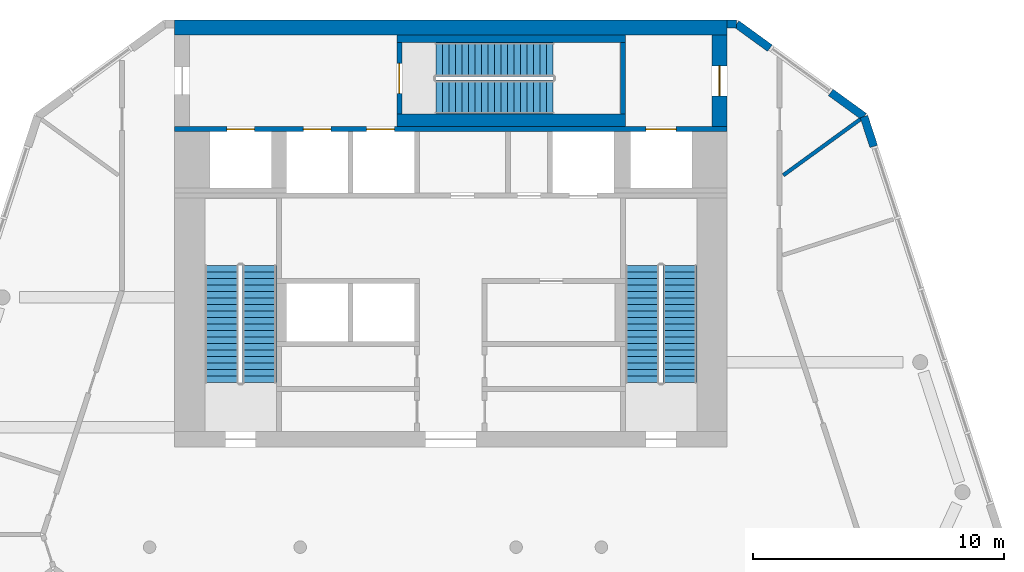
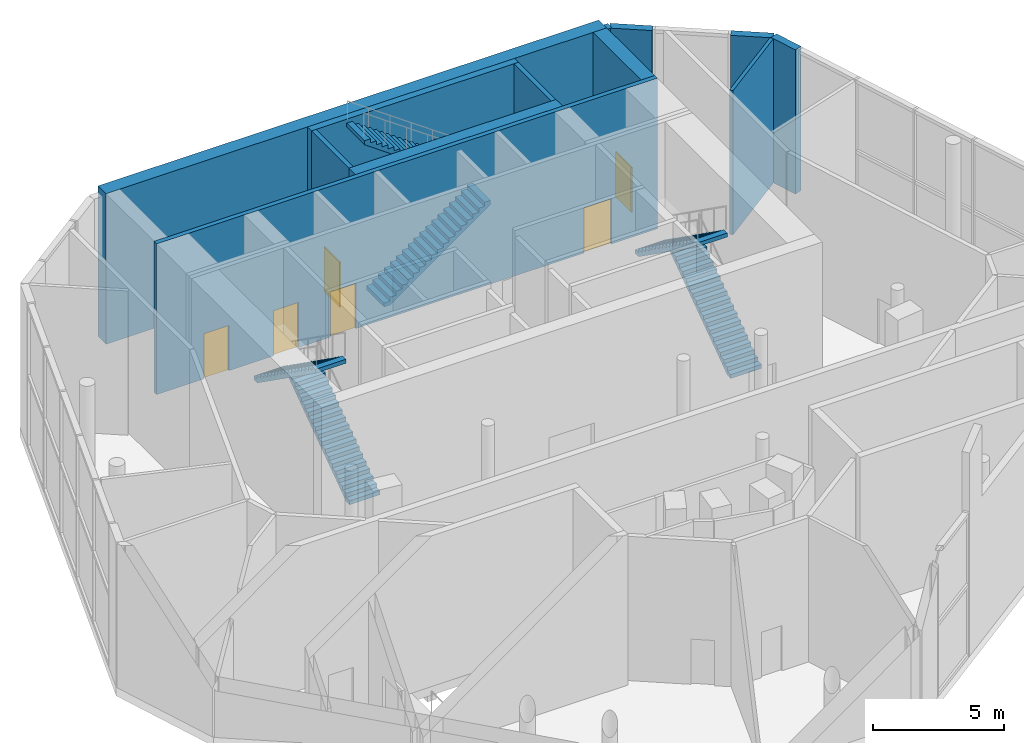
# One storey, part 7 of 9: 12 walls, 6 doors, 6 stair flights, 6 openings, 3 elements without a shape of their own.
"""IFC4 building model written with IfcOpenShell, lengths in metres."""

from ifc_helpers import new_model, si_unit, direction, frame, frame_2d, origin, place, context, subcontext, project, spatial, polyline, rectangle, outline, extrude, material, layer, layer_set, type_object, element, fill, aggregate, save


model = new_model("IFC4")

# Units and contexts
model_context = context("Model", 3, precision=1e-05, world=origin(), true_north=direction((0.0, 1.0)))
body_context = subcontext(model_context, "Body", "Model", "MODEL_VIEW")
ifc_project = project(units=[si_unit("LENGTHUNIT", "METRE"), si_unit("AREAUNIT", "SQUARE_METRE"), si_unit("VOLUMEUNIT", "CUBIC_METRE"), si_unit("PLANEANGLEUNIT", "RADIAN"), si_unit("MASSUNIT", "GRAM", prefix="KILO")], contexts=[model_context])

# Site, building, storey
site_placement = place(None, origin())
site = spatial("IfcSite", under=ifc_project, at=site_placement, CompositionType="ELEMENT")
building_placement = place(site_placement, origin())
building = spatial("IfcBuilding", under=site, at=building_placement, Name="White Candle Pilgrim Tower", CompositionType="ELEMENT")
storey_placement = place(building_placement, frame((0.0, 0.0, 321.699951171875)))
storey = spatial("IfcBuildingStorey", under=building, at=storey_placement, Name="L76", CompositionType="ELEMENT", Elevation=321.699951171875)

# Wall, openings, doors
ifc_material_1 = material(Name="Concrete C40/50", Category="concrete")
ifc_layer_1 = layer(ifc_material_1, 0.199951171875)
ifc_layer_set_1 = layer_set([ifc_layer_1], Name="Core wall 200 mm Concrete C40/50")
wall_type_1 = type_object("IfcWallType", Name="Core wall 200 mm Concrete C40/50", PredefinedType="SHEAR", material=ifc_layer_set_1)
wall_1_placement = place(storey_placement, frame((59.0, 83.64990234375, 0.0), z_axis=(0.0, 0.0, 1.0), x_axis=(1.0, 0.0, 0.0)))
wall_1 = element("IfcWall", 1, at=wall_1_placement, inside=storey, type_object=wall_type_1, Name="WL-L76-C46", PredefinedType="SHEAR", context=body_context, shape_type="SweptSolid", body=[
    extrude(rectangle(XDim=22.0, YDim=0.199951171875, at=frame_2d((11.0, 0.0))), origin(), (0.0, 0.0, 1.0), 7.0),
])
opening_1_placement = place(wall_1_placement, frame((5.125, 0.0, 0.0)))
opening_1 = element("IfcOpeningElement", 2, at=opening_1_placement, cuts=wall_1, Name="Opening L76-015", PredefinedType="OPENING", context=body_context, shape_type="SweptSolid", body=[
    extrude(rectangle(XDim=1.10009765625, YDim=2.10009765625, at=frame_2d((0.550048828125, 1.050048828125))), frame((0.0, 0.10986328125, 0.0), z_axis=(0.0, -1.0, 0.0), x_axis=(1.0, 0.0, 0.0)), (0.0, 0.0, 1.0), 0.219970703125),
])
opening_2_placement = place(wall_1_placement, frame((7.64990234375, 0.0, 0.0)))
opening_2 = element("IfcOpeningElement", 3, at=opening_2_placement, cuts=wall_1, Name="Opening L76-016", PredefinedType="OPENING", context=body_context, shape_type="SweptSolid", body=[
    extrude(rectangle(XDim=1.10009765625, YDim=2.10009765625, at=frame_2d((0.550048828125, 1.050048828125))), frame((0.0, 0.10986328125, 0.0), z_axis=(0.0, -1.0, 0.0), x_axis=(1.0, 0.0, 0.0)), (0.0, 0.0, 1.0), 0.219970703125),
])
opening_3_placement = place(wall_1_placement, frame((18.77490234375, 0.0, 0.0)))
opening_3 = element("IfcOpeningElement", 4, at=opening_3_placement, cuts=wall_1, Name="Opening L76-018", PredefinedType="OPENING", context=body_context, shape_type="SweptSolid", body=[
    extrude(rectangle(XDim=1.199951171875, YDim=2.10009765625, at=frame_2d((0.60009765625, 1.050048828125))), frame((0.0, 0.10986328125, 0.0), z_axis=(0.0, -1.0, 0.0), x_axis=(1.0, 0.0, 0.0)), (0.0, 0.0, 1.0), 0.219970703125),
])
opening_4_placement = place(wall_1_placement, frame((2.074951171875, 0.0, 0.0)))
opening_4 = element("IfcOpeningElement", 5, at=opening_4_placement, cuts=wall_1, Name="Opening L76-019", PredefinedType="OPENING", context=body_context, shape_type="SweptSolid", body=[
    extrude(rectangle(XDim=1.10009765625, YDim=2.10009765625, at=frame_2d((0.550048828125, 1.050048828125))), frame((0.0, 0.10986328125, 0.0), z_axis=(0.0, -1.0, 0.0), x_axis=(1.0, 0.0, 0.0)), (0.0, 0.0, 1.0), 0.219970703125),
])
ifc_material_2 = material(Name="Stainless steel", Category="steel")
door_type_1 = type_object("IfcDoorType", Name="Lift landing door 1100 x 2100 EI 60", OperationType="DOUBLE_DOOR_SLIDING", PredefinedType="DOOR", material=ifc_material_2)
door_1_placement = place(opening_1_placement, origin())
door_1 = element("IfcDoor", 6, at=door_1_placement, inside=storey, type_object=door_type_1, Name="Door L76-015", OperationType="DOUBLE_DOOR_SLIDING", OverallHeight=2.10009765625, OverallWidth=1.10009765625, PredefinedType="DOOR", context=body_context, shape_type="SweptSolid", body=[
    extrude(rectangle(XDim=1.10009765625, YDim=2.10009765625, at=frame_2d((0.550048828125, 1.050048828125))), frame((0.0, 0.02490234375, 0.0), z_axis=(0.0, -1.0, 0.0), x_axis=(1.0, 0.0, 0.0)), (0.0, 0.0, 1.0), 0.050048828125),
])
fill(opening_1, door_1)
door_2_placement = place(opening_2_placement, origin())
door_2 = element("IfcDoor", 7, at=door_2_placement, inside=storey, type_object=door_type_1, Name="Door L76-016", OperationType="DOUBLE_DOOR_SLIDING", OverallHeight=2.10009765625, OverallWidth=1.10009765625, PredefinedType="DOOR", context=body_context, shape_type="SweptSolid", body=[
    extrude(rectangle(XDim=1.10009765625, YDim=2.10009765625, at=frame_2d((0.550048828125, 1.050048828125))), frame((0.0, 0.02490234375, 0.0), z_axis=(0.0, -1.0, 0.0), x_axis=(1.0, 0.0, 0.0)), (0.0, 0.0, 1.0), 0.050048828125),
])
fill(opening_2, door_2)
door_3_placement = place(opening_4_placement, origin())
door_3 = element("IfcDoor", 8, at=door_3_placement, inside=storey, type_object=door_type_1, Name="Door L76-019", OperationType="DOUBLE_DOOR_SLIDING", OverallHeight=2.10009765625, OverallWidth=1.10009765625, PredefinedType="DOOR", context=body_context, shape_type="SweptSolid", body=[
    extrude(rectangle(XDim=1.10009765625, YDim=2.10009765625, at=frame_2d((0.550048828125, 1.050048828125))), frame((0.0, 0.02490234375, 0.0), z_axis=(0.0, -1.0, 0.0), x_axis=(1.0, 0.0, 0.0)), (0.0, 0.0, 1.0), 0.050048828125),
])
fill(opening_4, door_3)
door_type_2 = type_object("IfcDoorType", Name="Lift landing door 1200 x 2100 E 60", OperationType="DOUBLE_DOOR_SLIDING", PredefinedType="DOOR", material=ifc_material_2)
door_4_placement = place(opening_3_placement, origin())
door_4 = element("IfcDoor", 9, at=door_4_placement, inside=storey, type_object=door_type_2, Name="Door L76-018", OperationType="DOUBLE_DOOR_SLIDING", OverallHeight=2.10009765625, OverallWidth=1.199951171875, PredefinedType="DOOR", context=body_context, shape_type="SweptSolid", body=[
    extrude(rectangle(XDim=1.199951171875, YDim=2.10009765625, at=frame_2d((0.60009765625, 1.050048828125))), frame((0.0, 0.02490234375, 0.0), z_axis=(0.0, -1.0, 0.0), x_axis=(1.0, 0.0, 0.0)), (0.0, 0.0, 1.0), 0.050048828125),
])
fill(opening_3, door_4)

# Wall, opening, door
ifc_layer_2 = layer(ifc_material_1, 0.60009765625)
ifc_layer_set_2 = layer_set([ifc_layer_2], Name="Core wall 600 mm Concrete C40/50")
wall_type_2 = type_object("IfcWallType", Name="Core wall 600 mm Concrete C40/50", PredefinedType="SHEAR", material=ifc_layer_set_2)
wall_2_placement = place(storey_placement, frame((80.699951171875, 83.75, 0.0), z_axis=(0.0, 0.0, 1.0), x_axis=(0.0, 1.0, 0.0)))
wall_2 = element("IfcWall", 10, at=wall_2_placement, inside=storey, type_object=wall_type_2, Name="WL-L76-C49", PredefinedType="SHEAR", context=body_context, shape_type="SweptSolid", body=[
    extrude(rectangle(XDim=3.64990234375, YDim=0.60009765625, at=frame_2d((1.824951171875, 0.0))), origin(), (0.0, 0.0, 1.0), 7.0),
])
opening_5_placement = place(wall_2_placement, frame((1.22509765625, 0.0, 0.0)))
opening_5 = element("IfcOpeningElement", 11, at=opening_5_placement, cuts=wall_2, Name="Opening L76-010", PredefinedType="OPENING", context=body_context, shape_type="SweptSolid", body=[
    extrude(rectangle(XDim=1.199951171875, YDim=2.10009765625, at=frame_2d((0.60009765625, 1.050048828125))), frame((0.0, 0.31005859375, 0.0), z_axis=(0.0, -1.0, 0.0), x_axis=(1.0, 0.0, 0.0)), (0.0, 0.0, 1.0), 0.6201171875),
])
ifc_material_3 = material(Name="Steel door leaf", Category="steel")
door_type_3 = type_object("IfcDoorType", Name="Fire door 1200 x 2100 EI 30", OperationType="NOTDEFINED", PredefinedType="DOOR", material=ifc_material_3)
door_5_placement = place(opening_5_placement, origin())
door_5 = element("IfcDoor", 12, at=door_5_placement, inside=storey, type_object=door_type_3, Name="Door L76-010", OperationType="SINGLE_SWING_RIGHT", OverallHeight=2.10009765625, OverallWidth=1.199951171875, PredefinedType="DOOR", context=body_context, shape_type="SweptSolid", body=[
    extrude(rectangle(XDim=1.199951171875, YDim=2.10009765625, at=frame_2d((0.60009765625, 1.050048828125))), frame((0.0, 0.02490234375, 0.0), z_axis=(0.0, -1.0, 0.0), x_axis=(1.0, 0.0, 0.0)), (0.0, 0.0, 1.0), 0.050048828125),
])
fill(opening_5, door_5)

# Walls
wall_3_placement = place(storey_placement, frame((59.0, 87.699951171875, 0.0), z_axis=(0.0, 0.0, 1.0), x_axis=(1.0, 0.0, 0.0)))
element("IfcWall", 13, at=wall_3_placement, inside=storey, type_object=wall_type_2, Name="WL-L76-C53", PredefinedType="SHEAR", context=body_context, shape_type="SweptSolid", body=[
    extrude(rectangle(XDim=22.0, YDim=0.60009765625, at=frame_2d((11.0, 0.0))), origin(), (0.0, 0.0, 1.0), 7.0),
])
ifc_material_4 = material(Name="Precast concrete C40/50", Category="concrete")
ifc_layer_3 = layer(ifc_material_4, 0.320068359375)
ifc_layer_set_3 = layer_set([ifc_layer_3], Name="Facade wall EW1 precast concrete C40/50 pier wall with timber-lined reveals")
wall_type_3 = type_object("IfcWallType", Name="Facade wall EW1 precast concrete C40/50 pier wall with timber-lined reveals", PredefinedType="SOLIDWALL", material=ifc_layer_set_3)
wall_4_placement = place(storey_placement, frame((86.8466796875, 82.963623046875, 0.0), z_axis=(0.0, 0.0, 1.0), x_axis=(-0.309130228309, 0.951019716907, 0.0)))
element("IfcWall", 14, at=wall_4_placement, inside=storey, type_object=wall_type_3, Name="Facade wall L76 ENE", PredefinedType="SOLIDWALL", context=body_context, shape_type="SweptSolid", body=[
    extrude(rectangle(XDim=1.250244140625, YDim=0.320068359375, at=frame_2d((0.625, 0.0))), origin(), (0.0, 0.0, 1.0), 6.699951171875),
])
wall_5_placement = place(storey_placement, frame((86.460205078125, 84.152587890625, 0.0), z_axis=(0.0, 0.0, 1.0), x_axis=(-0.808948900957, 0.587878963428, 0.0)))
element("IfcWall", 15, at=wall_5_placement, inside=storey, type_object=wall_type_3, Name="Facade wall L76 NE chamfer", PredefinedType="SOLIDWALL", context=body_context, shape_type="SweptSolid", body=[
    extrude(rectangle(XDim=1.63671875, YDim=0.320068359375, at=frame_2d((0.818359375, 0.0))), origin(), (0.0, 0.0, 1.0), 6.699951171875),
])
wall_6_placement = place(storey_placement, frame((82.709228515625, 86.8779296875, 0.0), z_axis=(0.0, 0.0, 1.0), x_axis=(-0.809000445028, 0.58780802984, 0.0)))
element("IfcWall", 16, at=wall_6_placement, inside=storey, type_object=wall_type_3, Name="Facade wall L76 NE chamfer", PredefinedType="SOLIDWALL", context=body_context, shape_type="SweptSolid", body=[
    extrude(rectangle(XDim=1.636962890625, YDim=0.320068359375, at=frame_2d((0.818359375, 0.0))), origin(), (0.0, 0.0, 1.0), 6.699951171875),
])
wall_7_placement = place(storey_placement, frame((81.385009765625, 87.840087890625, 0.0), z_axis=(0.0, 0.0, 1.0), x_axis=(-1.0, 0.0, 0.0)))
element("IfcWall", 17, at=wall_7_placement, inside=storey, type_object=wall_type_3, Name="Facade wall L76 N", PredefinedType="SOLIDWALL", context=body_context, shape_type="SweptSolid", body=[
    extrude(rectangle(XDim=0.385009765625, YDim=0.320068359375, at=frame_2d((0.1923828125, 0.0))), origin(), (0.0, 0.0, 1.0), 6.699951171875),
])
ifc_material_5 = material(Name="Gypsum board on steel studs", Category="steel")
ifc_layer_4 = layer(ifc_material_5, 0.14990234375)
ifc_layer_set_4 = layer_set([ifc_layer_4], Name="Partition 150 mm EI 60")
wall_type_4 = type_object("IfcWallType", Name="Partition 150 mm EI 60", PredefinedType="PARTITIONING", material=ifc_layer_set_4)
wall_8_placement = place(storey_placement, frame((86.32421875, 84.0537109375, 0.0), z_axis=(0.0, 0.0, 1.0), x_axis=(-0.809018840269, -0.587782711629, 0.0)))
element("IfcWall", 18, at=wall_8_placement, inside=storey, type_object=wall_type_4, Name="WL-L76-P024", PredefinedType="PARTITIONING", context=body_context, shape_type="SweptSolid", body=[
    extrude(rectangle(XDim=3.80712890625, YDim=0.14990234375, at=frame_2d((1.903564453125, 0.0))), origin(), (0.0, 0.0, 1.0), 6.699951171875),
])

# Wall, opening, door
ifc_layer_5 = layer(ifc_material_1, 0.199951171875)
ifc_layer_set_5 = layer_set([ifc_layer_5], Name="Stair shaft wall 200 mm Concrete C40/50")
wall_type_5 = type_object("IfcWallType", Name="Stair shaft wall 200 mm Concrete C40/50", PredefinedType="SHEAR", material=ifc_layer_set_5)
wall_9_placement = place(storey_placement, frame((67.949951171875, 84.25, 0.0), z_axis=(0.0, 0.0, 1.0), x_axis=(0.0, 1.0, 0.0)))
wall_9 = element("IfcWall", 19, at=wall_9_placement, inside=storey, type_object=wall_type_5, Name="WL-L76-C50", PredefinedType="SHEAR", context=body_context, shape_type="SweptSolid", body=[
    extrude(rectangle(XDim=2.85009765625, YDim=0.199951171875, at=frame_2d((1.425048828125, 0.0))), origin(), (0.0, 0.0, 1.0), 7.0),
])
opening_6_placement = place(wall_9_placement, frame((0.824951171875, 0.0, 0.0)))
opening_6 = element("IfcOpeningElement", 20, at=opening_6_placement, cuts=wall_9, Name="Opening L76-003", PredefinedType="OPENING", context=body_context, shape_type="SweptSolid", body=[
    extrude(rectangle(XDim=1.199951171875, YDim=2.10009765625, at=frame_2d((0.60009765625, 1.050048828125))), frame((0.0, 0.10986328125, 0.0), z_axis=(0.0, -1.0, 0.0), x_axis=(1.0, 0.0, 0.0)), (0.0, 0.0, 1.0), 0.219970703125),
])
door_type_4 = type_object("IfcDoorType", Name="Fire door 1200 x 2100 EI 60", OperationType="NOTDEFINED", PredefinedType="DOOR", material=ifc_material_3)
door_6_placement = place(opening_6_placement, frame((1.199951171875, 0.0, 0.0), z_axis=(0.0, 0.0, 1.0), x_axis=(-1.0, 0.0, 0.0)))
door_6 = element("IfcDoor", 21, at=door_6_placement, inside=storey, type_object=door_type_4, Name="Door L76-003", OperationType="SINGLE_SWING_RIGHT", OverallHeight=2.10009765625, OverallWidth=1.199951171875, PredefinedType="DOOR", context=body_context, shape_type="SweptSolid", body=[
    extrude(rectangle(XDim=1.199951171875, YDim=2.10009765625, at=frame_2d((0.60009765625, 1.050048828125))), frame((0.0, 0.02490234375, 0.0), z_axis=(0.0, -1.0, 0.0), x_axis=(1.0, 0.0, 0.0)), (0.0, 0.0, 1.0), 0.050048828125),
])
fill(opening_6, door_6)

# Walls
wall_10_placement = place(storey_placement, frame((76.85009765625, 84.25, 0.0), z_axis=(0.0, 0.0, 1.0), x_axis=(0.0, 1.0, 0.0)))
element("IfcWall", 22, at=wall_10_placement, inside=storey, type_object=wall_type_5, Name="WL-L76-C51", PredefinedType="SHEAR", context=body_context, shape_type="SweptSolid", body=[
    extrude(rectangle(XDim=2.85009765625, YDim=0.199951171875, at=frame_2d((1.425048828125, 0.0))), origin(), (0.0, 0.0, 1.0), 7.0),
])
ifc_layer_6 = layer(ifc_material_1, 0.300048828125)
ifc_layer_set_6 = layer_set([ifc_layer_6], Name="Stair shaft wall 300 mm Concrete C40/50")
wall_type_6 = type_object("IfcWallType", Name="Stair shaft wall 300 mm Concrete C40/50", PredefinedType="SHEAR", material=ifc_layer_set_6)
wall_11_placement = place(storey_placement, frame((67.85009765625, 87.25, 0.0), z_axis=(0.0, 0.0, 1.0), x_axis=(1.0, 0.0, 0.0)))
element("IfcWall", 23, at=wall_11_placement, inside=storey, type_object=wall_type_6, Name="WL-L76-C52", PredefinedType="SHEAR", context=body_context, shape_type="SweptSolid", body=[
    extrude(rectangle(XDim=9.099853515625, YDim=0.300048828125, at=frame_2d((4.5498046875, 0.0))), origin(), (0.0, 0.0, 1.0), 7.0),
])
ifc_layer_7 = layer(ifc_material_1, 0.5)
ifc_layer_set_7 = layer_set([ifc_layer_7], Name="Stair shaft wall 500 mm Concrete C40/50")
wall_type_7 = type_object("IfcWallType", Name="Stair shaft wall 500 mm Concrete C40/50", PredefinedType="SHEAR", material=ifc_layer_set_7)
wall_12_placement = place(storey_placement, frame((67.85009765625, 84.0, 0.0), z_axis=(0.0, 0.0, 1.0), x_axis=(1.0, 0.0, 0.0)))
element("IfcWall", 24, at=wall_12_placement, inside=storey, type_object=wall_type_7, Name="WL-L76-C48", PredefinedType="SHEAR", context=body_context, shape_type="SweptSolid", body=[
    extrude(rectangle(XDim=9.099853515625, YDim=0.5, at=frame_2d((4.5498046875, 0.0))), origin(), (0.0, 0.0, 1.0), 7.0),
])

# Stair, stair flights
stair_type_1 = type_object("IfcStairType", Name="Exit stair 1 flight width 1350 mm", PredefinedType="HALF_TURN_STAIR", material=ifc_material_1)
stair_1_placement = place(storey_placement, origin())
stair_1 = element("IfcStair", 25, at=stair_1_placement, inside=storey, type_object=stair_type_1, Name="L76 stair 1", PredefinedType="NOTDEFINED")
ifc_layer_8 = layer(ifc_material_1, 0.14990234375)
ifc_layer_set_8 = layer_set([ifc_layer_8], Name="Stair flight Concrete C40/50")
stair_flight_type = type_object("IfcStairFlightType", Name="Stair flight Concrete C40/50", PredefinedType="STRAIGHT", material=ifc_layer_set_8)
stair_flight_1_placement = place(storey_placement, frame((62.375, 73.550048828125, 0.0), z_axis=(0.0, 0.0, 1.0), x_axis=(0.0, 1.0, 0.0)))
stair_flight_1 = element("IfcStairFlight", 26, at=stair_flight_1_placement, type_object=stair_flight_type, Name="ST1 flight 1", NumberOfRisers=19, NumberOfTreads=18, PredefinedType="NOTDEFINED", RiserHeight=0.184210526, TreadLength=0.26, context=body_context, shape_type="SweptSolid", body=[
    extrude(outline(polyline([(0.0, 0.0), (0.0, 0.184326171875), (0.260009765625, 0.184326171875), (0.260009765625, 0.368408203125), (0.52001953125, 0.368408203125), (0.52001953125, 0.552734375), (0.780029296875, 0.552734375), (0.780029296875, 0.73681640625), (1.0400390625, 0.73681640625), (1.0400390625, 0.921142578125), (1.300048828125, 0.921142578125), (1.300048828125, 1.105224609375), (1.56005859375, 1.105224609375), (1.56005859375, 1.28955078125), (1.820068359375, 1.28955078125), (1.820068359375, 1.4736328125), (2.080078125, 1.4736328125), (2.080078125, 1.657958984375), (2.340087890625, 1.657958984375), (2.340087890625, 1.842041015625), (2.60009765625, 1.842041015625), (2.60009765625, 2.0263671875), (2.860107421875, 2.0263671875), (2.860107421875, 2.21044921875), (3.1201171875, 2.21044921875), (3.1201171875, 2.394775390625), (3.3798828125, 2.394775390625), (3.3798828125, 2.578857421875), (3.639892578125, 2.578857421875), (3.639892578125, 2.76318359375), (3.89990234375, 2.76318359375), (3.89990234375, 2.947265625), (4.159912109375, 2.947265625), (4.159912109375, 3.131591796875), (4.419921875, 3.131591796875), (4.419921875, 3.315673828125), (4.679931640625, 3.315673828125), (4.679931640625, 3.5), (4.679931640625, 3.132080078125), (0.25927734375, 0.0), (0.0, 0.0)])), frame((0.0, 0.675048828125, 0.0), z_axis=(0.0, -1.0, 0.0), x_axis=(1.0, 0.0, 0.0)), (0.0, 0.0, 1.0), 1.35009765625),
])
stair_flight_2_placement = place(storey_placement, frame((60.875, 78.22998046875, 3.5), z_axis=(0.0, 0.0, 1.0), x_axis=(0.0, -1.0, 0.0)))
stair_flight_2 = element("IfcStairFlight", 27, at=stair_flight_2_placement, type_object=stair_flight_type, Name="ST1 flight 2", NumberOfRisers=19, NumberOfTreads=18, PredefinedType="NOTDEFINED", RiserHeight=0.184210526, TreadLength=0.26, context=body_context, shape_type="SweptSolid", body=[
    extrude(outline(polyline([(0.0, 0.0), (0.0, 0.184326171875), (0.260009765625, 0.184326171875), (0.260009765625, 0.368408203125), (0.52001953125, 0.368408203125), (0.52001953125, 0.552734375), (0.780029296875, 0.552734375), (0.780029296875, 0.73681640625), (1.0400390625, 0.73681640625), (1.0400390625, 0.921142578125), (1.300048828125, 0.921142578125), (1.300048828125, 1.105224609375), (1.56005859375, 1.105224609375), (1.56005859375, 1.28955078125), (1.820068359375, 1.28955078125), (1.820068359375, 1.4736328125), (2.080078125, 1.4736328125), (2.080078125, 1.657958984375), (2.340087890625, 1.657958984375), (2.340087890625, 1.842041015625), (2.60009765625, 1.842041015625), (2.60009765625, 2.0263671875), (2.860107421875, 2.0263671875), (2.860107421875, 2.21044921875), (3.1201171875, 2.21044921875), (3.1201171875, 2.394775390625), (3.3798828125, 2.394775390625), (3.3798828125, 2.578857421875), (3.639892578125, 2.578857421875), (3.639892578125, 2.76318359375), (3.89990234375, 2.76318359375), (3.89990234375, 2.947265625), (4.159912109375, 2.947265625), (4.159912109375, 3.131591796875), (4.419921875, 3.131591796875), (4.419921875, 3.315673828125), (4.679931640625, 3.315673828125), (4.679931640625, 3.5), (4.679931640625, 3.132080078125), (0.25927734375, 0.0), (0.0, 0.0)])), frame((0.0, 0.675048828125, 0.0), z_axis=(0.0, -1.0, 0.0), x_axis=(1.0, 0.0, 0.0)), (0.0, 0.0, 1.0), 1.35009765625),
])
aggregate(stair_1, [stair_flight_1, stair_flight_2])

stair_type_2 = type_object("IfcStairType", Name="Exit stair 2 flight width 1350 mm", PredefinedType="HALF_TURN_STAIR", material=ifc_material_1)
stair_2_placement = place(storey_placement, origin())
stair_2 = element("IfcStair", 28, at=stair_2_placement, inside=storey, type_object=stair_type_2, Name="L76 stair 2", PredefinedType="NOTDEFINED")
stair_flight_3_placement = place(storey_placement, frame((79.125, 73.550048828125, 0.0), z_axis=(0.0, 0.0, 1.0), x_axis=(0.0, 1.0, 0.0)))
stair_flight_3 = element("IfcStairFlight", 29, at=stair_flight_3_placement, type_object=stair_flight_type, Name="ST2 flight 1", NumberOfRisers=19, NumberOfTreads=18, PredefinedType="NOTDEFINED", RiserHeight=0.184210526, TreadLength=0.26, context=body_context, shape_type="SweptSolid", body=[
    extrude(outline(polyline([(0.0, 0.0), (0.0, 0.184326171875), (0.260009765625, 0.184326171875), (0.260009765625, 0.368408203125), (0.52001953125, 0.368408203125), (0.52001953125, 0.552734375), (0.780029296875, 0.552734375), (0.780029296875, 0.73681640625), (1.0400390625, 0.73681640625), (1.0400390625, 0.921142578125), (1.300048828125, 0.921142578125), (1.300048828125, 1.105224609375), (1.56005859375, 1.105224609375), (1.56005859375, 1.28955078125), (1.820068359375, 1.28955078125), (1.820068359375, 1.4736328125), (2.080078125, 1.4736328125), (2.080078125, 1.657958984375), (2.340087890625, 1.657958984375), (2.340087890625, 1.842041015625), (2.60009765625, 1.842041015625), (2.60009765625, 2.0263671875), (2.860107421875, 2.0263671875), (2.860107421875, 2.21044921875), (3.1201171875, 2.21044921875), (3.1201171875, 2.394775390625), (3.3798828125, 2.394775390625), (3.3798828125, 2.578857421875), (3.639892578125, 2.578857421875), (3.639892578125, 2.76318359375), (3.89990234375, 2.76318359375), (3.89990234375, 2.947265625), (4.159912109375, 2.947265625), (4.159912109375, 3.131591796875), (4.419921875, 3.131591796875), (4.419921875, 3.315673828125), (4.679931640625, 3.315673828125), (4.679931640625, 3.5), (4.679931640625, 3.132080078125), (0.25927734375, 0.0), (0.0, 0.0)])), frame((0.0, 0.675048828125, 0.0), z_axis=(0.0, -1.0, 0.0), x_axis=(1.0, 0.0, 0.0)), (0.0, 0.0, 1.0), 1.35009765625),
])
stair_flight_4_placement = place(storey_placement, frame((77.625, 78.22998046875, 3.5), z_axis=(0.0, 0.0, 1.0), x_axis=(0.0, -1.0, 0.0)))
stair_flight_4 = element("IfcStairFlight", 30, at=stair_flight_4_placement, type_object=stair_flight_type, Name="ST2 flight 2", NumberOfRisers=19, NumberOfTreads=18, PredefinedType="NOTDEFINED", RiserHeight=0.184210526, TreadLength=0.26, context=body_context, shape_type="SweptSolid", body=[
    extrude(outline(polyline([(0.0, 0.0), (0.0, 0.184326171875), (0.260009765625, 0.184326171875), (0.260009765625, 0.368408203125), (0.52001953125, 0.368408203125), (0.52001953125, 0.552734375), (0.780029296875, 0.552734375), (0.780029296875, 0.73681640625), (1.0400390625, 0.73681640625), (1.0400390625, 0.921142578125), (1.300048828125, 0.921142578125), (1.300048828125, 1.105224609375), (1.56005859375, 1.105224609375), (1.56005859375, 1.28955078125), (1.820068359375, 1.28955078125), (1.820068359375, 1.4736328125), (2.080078125, 1.4736328125), (2.080078125, 1.657958984375), (2.340087890625, 1.657958984375), (2.340087890625, 1.842041015625), (2.60009765625, 1.842041015625), (2.60009765625, 2.0263671875), (2.860107421875, 2.0263671875), (2.860107421875, 2.21044921875), (3.1201171875, 2.21044921875), (3.1201171875, 2.394775390625), (3.3798828125, 2.394775390625), (3.3798828125, 2.578857421875), (3.639892578125, 2.578857421875), (3.639892578125, 2.76318359375), (3.89990234375, 2.76318359375), (3.89990234375, 2.947265625), (4.159912109375, 2.947265625), (4.159912109375, 3.131591796875), (4.419921875, 3.131591796875), (4.419921875, 3.315673828125), (4.679931640625, 3.315673828125), (4.679931640625, 3.5), (4.679931640625, 3.132080078125), (0.25927734375, 0.0), (0.0, 0.0)])), frame((0.0, 0.675048828125, 0.0), z_axis=(0.0, -1.0, 0.0), x_axis=(1.0, 0.0, 0.0)), (0.0, 0.0, 1.0), 1.35009765625),
])
aggregate(stair_2, [stair_flight_3, stair_flight_4])

stair_type_3 = type_object("IfcStairType", Name="Exit stair 3 flight width 1350 mm", PredefinedType="HALF_TURN_STAIR", material=ifc_material_1)
stair_3_placement = place(storey_placement, origin())
stair_3 = element("IfcStair", 31, at=stair_3_placement, inside=storey, type_object=stair_type_3, Name="L76 stair 3", PredefinedType="NOTDEFINED")
stair_flight_5_placement = place(storey_placement, frame((69.39990234375, 84.925048828125, 0.0), z_axis=(0.0, 0.0, 1.0), x_axis=(1.0, 0.0, 0.0)))
stair_flight_5 = element("IfcStairFlight", 32, at=stair_flight_5_placement, type_object=stair_flight_type, Name="ST3 flight 1", NumberOfRisers=19, NumberOfTreads=18, PredefinedType="NOTDEFINED", RiserHeight=0.184210526, TreadLength=0.26, context=body_context, shape_type="SweptSolid", body=[
    extrude(outline(polyline([(0.0, 0.0), (0.0, 0.184326171875), (0.260009765625, 0.184326171875), (0.260009765625, 0.368408203125), (0.52001953125, 0.368408203125), (0.52001953125, 0.552734375), (0.780029296875, 0.552734375), (0.780029296875, 0.73681640625), (1.0400390625, 0.73681640625), (1.0400390625, 0.921142578125), (1.300048828125, 0.921142578125), (1.300048828125, 1.105224609375), (1.56005859375, 1.105224609375), (1.56005859375, 1.28955078125), (1.820068359375, 1.28955078125), (1.820068359375, 1.4736328125), (2.080078125, 1.4736328125), (2.080078125, 1.657958984375), (2.340087890625, 1.657958984375), (2.340087890625, 1.842041015625), (2.60009765625, 1.842041015625), (2.60009765625, 2.0263671875), (2.860107421875, 2.0263671875), (2.860107421875, 2.21044921875), (3.1201171875, 2.21044921875), (3.1201171875, 2.394775390625), (3.3798828125, 2.394775390625), (3.3798828125, 2.578857421875), (3.639892578125, 2.578857421875), (3.639892578125, 2.76318359375), (3.89990234375, 2.76318359375), (3.89990234375, 2.947265625), (4.159912109375, 2.947265625), (4.159912109375, 3.131591796875), (4.419921875, 3.131591796875), (4.419921875, 3.315673828125), (4.679931640625, 3.315673828125), (4.679931640625, 3.5), (4.679931640625, 3.132080078125), (0.25927734375, 0.0), (0.0, 0.0)])), frame((0.0, 0.675048828125, 0.0), z_axis=(0.0, -1.0, 0.0), x_axis=(1.0, 0.0, 0.0)), (0.0, 0.0, 1.0), 1.35009765625),
])
stair_flight_6_placement = place(storey_placement, frame((74.080078125, 86.425048828125, 3.5), z_axis=(0.0, 0.0, 1.0), x_axis=(-1.0, 0.0, 0.0)))
stair_flight_6 = element("IfcStairFlight", 33, at=stair_flight_6_placement, type_object=stair_flight_type, Name="ST3 flight 2", NumberOfRisers=19, NumberOfTreads=18, PredefinedType="NOTDEFINED", RiserHeight=0.184210526, TreadLength=0.26, context=body_context, shape_type="SweptSolid", body=[
    extrude(outline(polyline([(0.0, 0.0), (0.0, 0.184326171875), (0.260009765625, 0.184326171875), (0.260009765625, 0.368408203125), (0.52001953125, 0.368408203125), (0.52001953125, 0.552734375), (0.780029296875, 0.552734375), (0.780029296875, 0.73681640625), (1.0400390625, 0.73681640625), (1.0400390625, 0.921142578125), (1.300048828125, 0.921142578125), (1.300048828125, 1.105224609375), (1.56005859375, 1.105224609375), (1.56005859375, 1.28955078125), (1.820068359375, 1.28955078125), (1.820068359375, 1.4736328125), (2.080078125, 1.4736328125), (2.080078125, 1.657958984375), (2.340087890625, 1.657958984375), (2.340087890625, 1.842041015625), (2.60009765625, 1.842041015625), (2.60009765625, 2.0263671875), (2.860107421875, 2.0263671875), (2.860107421875, 2.21044921875), (3.1201171875, 2.21044921875), (3.1201171875, 2.394775390625), (3.3798828125, 2.394775390625), (3.3798828125, 2.578857421875), (3.639892578125, 2.578857421875), (3.639892578125, 2.76318359375), (3.89990234375, 2.76318359375), (3.89990234375, 2.947265625), (4.159912109375, 2.947265625), (4.159912109375, 3.131591796875), (4.419921875, 3.131591796875), (4.419921875, 3.315673828125), (4.679931640625, 3.315673828125), (4.679931640625, 3.5), (4.679931640625, 3.132080078125), (0.25927734375, 0.0), (0.0, 0.0)])), frame((0.0, 0.675048828125, 0.0), z_axis=(0.0, -1.0, 0.0), x_axis=(1.0, 0.0, 0.0)), (0.0, 0.0, 1.0), 1.35009765625),
])
aggregate(stair_3, [stair_flight_5, stair_flight_6])

save(model, "model.ifc")
